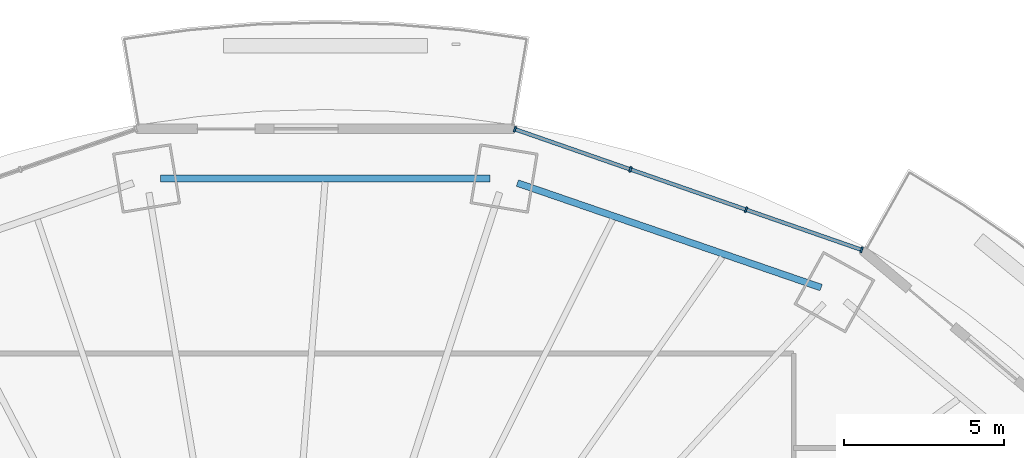
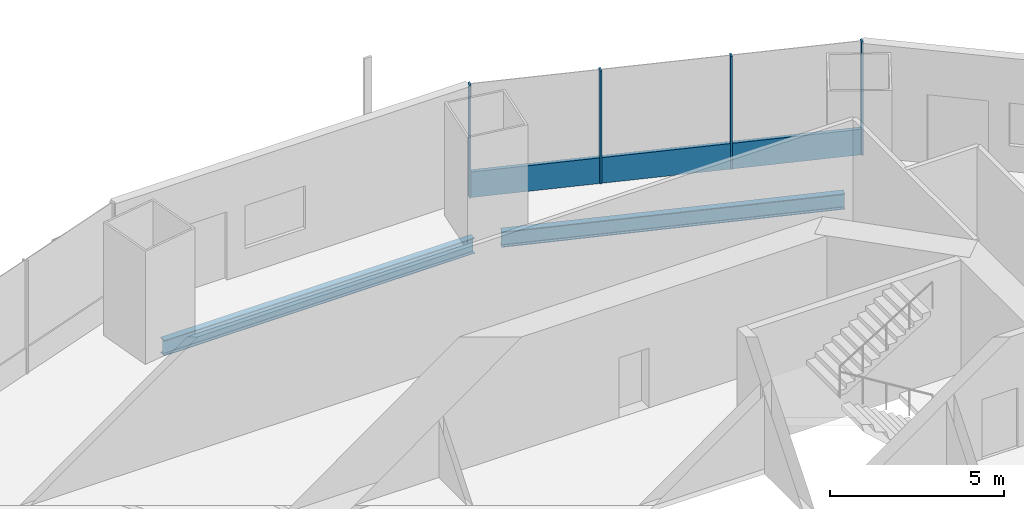
# One storey, part 8 of 19: 5 members, 2 beams, 1 element without a shape of its own.
"""IFC4 building model written with IfcOpenShell, lengths in metres."""

from ifc_helpers import new_model, si_unit, direction, frame, origin, origin_2d, place, context, subcontext, project, spatial, rectangle, i_section, extrude, material, material_profile, profile_set, type_object, element, aggregate, save


model = new_model("IFC4")

# Units and contexts
model_context = context("Model", 3, precision=1e-05, world=origin(), true_north=direction((0.0, 1.0)))
body_context = subcontext(model_context, "Body", "Model", "MODEL_VIEW")
ifc_project = project(units=[si_unit("LENGTHUNIT", "METRE"), si_unit("AREAUNIT", "SQUARE_METRE"), si_unit("VOLUMEUNIT", "CUBIC_METRE"), si_unit("PLANEANGLEUNIT", "RADIAN"), si_unit("MASSUNIT", "GRAM", prefix="KILO")], contexts=[model_context])

# Site, building, storey
site_placement = place(None, origin())
site = spatial("IfcSite", under=ifc_project, at=site_placement, CompositionType="ELEMENT")
building_placement = place(site_placement, origin())
building = spatial("IfcBuilding", under=site, at=building_placement, Name="Marenthal Gate Tower", CompositionType="ELEMENT")
storey_placement = place(building_placement, frame((0.0, 0.0, 239.89990234375)))
storey = spatial("IfcBuildingStorey", under=building, at=storey_placement, Name="L53", CompositionType="ELEMENT", Elevation=239.89990234375)

# Curtain wall, members
ifc_material_1 = material(Name="Aluminium and glass", Category="aluminium")
curtain_wall_type = type_object("IfcCurtainWallType", Name="Curtain wall typical mid", PredefinedType="NOTDEFINED", material=ifc_material_1)
curtain_wall_placement = place(storey_placement, origin())
curtain_wall = element("IfcCurtainWall", 1, at=curtain_wall_placement, inside=storey, type_object=curtain_wall_type, Name="Curtain wall L53 bay 3", PredefinedType="NOTDEFINED")
ifc_material_2 = material(Name="Aluminium", Category="aluminium")
ifc_material_profile_1 = material_profile(ifc_material_2, rectangle(XDim=0.179931640625, YDim=0.06005859375, at=origin_2d()), Name="60x180 aluminium mullion")
ifc_profile_set_1 = profile_set([ifc_material_profile_1], Name="Aluminium")
member_type_1 = type_object("IfcMemberType", Name="Mullion 60x180 typical mid", PredefinedType="MULLION", material=ifc_profile_set_1)
member_1_placement = place(storey_placement, frame((18.574951171875, 20.5283203125, 0.0), z_axis=(0.0, 0.0, 1.0), x_axis=(-0.328540448732, -0.944489901241, 0.0)))
member_1 = element("IfcMember", 2, at=member_1_placement, type_object=member_type_1, Name="Mullion L53 bay 3.1", PredefinedType="MULLION", context=body_context, shape_type="SweptSolid", body=[
    extrude(rectangle(XDim=0.179931640625, YDim=0.06005859375, at=origin_2d()), origin(), (0.0, 0.0, 1.0), 3.97021484375),
])
member_2_placement = place(storey_placement, frame((14.95947265625, 21.785888671875, 0.0), z_axis=(0.0, 0.0, 1.0), x_axis=(-0.328540448732, -0.944489901241, 0.0)))
member_2 = element("IfcMember", 3, at=member_2_placement, type_object=member_type_1, Name="Mullion L53 bay 3.2", PredefinedType="MULLION", context=body_context, shape_type="SweptSolid", body=[
    extrude(rectangle(XDim=0.179931640625, YDim=0.06005859375, at=origin_2d()), origin(), (0.0, 0.0, 1.0), 3.97021484375),
])
member_3_placement = place(storey_placement, frame((11.34423828125, 23.04345703125, 0.0), z_axis=(0.0, 0.0, 1.0), x_axis=(-0.328540448732, -0.944489901241, 0.0)))
member_3 = element("IfcMember", 4, at=member_3_placement, type_object=member_type_1, Name="Mullion L53 bay 3.3", PredefinedType="MULLION", context=body_context, shape_type="SweptSolid", body=[
    extrude(rectangle(XDim=0.179931640625, YDim=0.06005859375, at=origin_2d()), origin(), (0.0, 0.0, 1.0), 3.97021484375),
])
member_4_placement = place(storey_placement, frame((7.728759765625, 24.30126953125, 0.0), z_axis=(0.0, 0.0, 1.0), x_axis=(-0.328540448732, -0.944489901241, 0.0)))
member_4 = element("IfcMember", 5, at=member_4_placement, type_object=member_type_1, Name="Mullion L53 bay 3.4", PredefinedType="MULLION", context=body_context, shape_type="SweptSolid", body=[
    extrude(rectangle(XDim=0.179931640625, YDim=0.06005859375, at=origin_2d()), origin(), (0.0, 0.0, 1.0), 3.97021484375),
])
ifc_material_3 = material(Name="Aluminium", Category="aluminium")
ifc_material_profile_2 = material_profile(ifc_material_3, rectangle(XDim=0.1201171875, YDim=0.89990234375, at=origin_2d()), Name="120x900 aluminium transom")
ifc_profile_set_2 = profile_set([ifc_material_profile_2], Name="Aluminium")
member_type_2 = type_object("IfcMemberType", Name="Transom 120x900 typical mid", PredefinedType="USERDEFINED", material=ifc_profile_set_2)
member_5_placement = place(storey_placement, frame((18.546630859375, 20.538330078125, 0.4501953125), z_axis=(-0.944495643428, 0.328523940598, 0.0), x_axis=(-0.328523940598, -0.944495643428, 0.0)))
member_5 = element("IfcMember", 6, at=member_5_placement, type_object=member_type_2, Name="Transom L53 bay 3", ObjectType="TRANSOM", PredefinedType="USERDEFINED", context=body_context, shape_type="SweptSolid", body=[
    extrude(rectangle(XDim=0.1201171875, YDim=0.89990234375, at=origin_2d()), origin(), (0.0, 0.0, 1.0), 11.423583984375),
])
aggregate(curtain_wall, [member_1, member_2, member_3, member_4, member_5])

# Beams
ifc_material_4 = material(Name="Steel S355", Category="steel")
ifc_material_profile_3 = material_profile(ifc_material_4, i_section(OverallWidth=0.2119140625, OverallDepth=0.5439453125, WebThickness=0.01318359375, FlangeThickness=0.021240234375, FilletRadius=0.0126953125, at=origin_2d()), Name="W530X123")
ifc_profile_set_3 = profile_set([ifc_material_profile_3], Name="Steel S355")
beam_type = type_object("IfcBeamType", Name="W530X123 beam", PredefinedType="BEAM", material=ifc_profile_set_3)
beam_1_placement = place(storey_placement, frame((17.309814453125, 19.347900390625, -0.451904296875), z_axis=(-0.945563077228, 0.325438883638, 0.0), x_axis=(-0.325438883638, -0.945563077228, 0.0)))
element("IfcBeam", 7, at=beam_1_placement, inside=storey, type_object=beam_type, Name="BM-L53-43", PredefinedType="BEAM", context=body_context, shape_type="SweptSolid", body=[
    extrude(i_section(OverallWidth=0.2119140625, OverallDepth=0.5439453125, WebThickness=0.01318359375, FlangeThickness=0.021240234375, FilletRadius=0.0126953125, at=origin_2d()), origin(), (0.0, 0.0, 1.0), 10.05029296875),
])
beam_2_placement = place(storey_placement, frame((6.954833984375, 22.76123046875, -0.451904296875), z_axis=(-1.0, 0.0, 0.0), x_axis=(0.0, -1.0, 0.0)))
element("IfcBeam", 8, at=beam_2_placement, inside=storey, type_object=beam_type, Name="BM-L53-44", PredefinedType="BEAM", context=body_context, shape_type="SweptSolid", body=[
    extrude(i_section(OverallWidth=0.2119140625, OverallDepth=0.5439453125, WebThickness=0.01318359375, FlangeThickness=0.021240234375, FilletRadius=0.0126953125, at=origin_2d()), origin(), (0.0, 0.0, 1.0), 10.3095703125),
])

save(model, "model.ifc")
